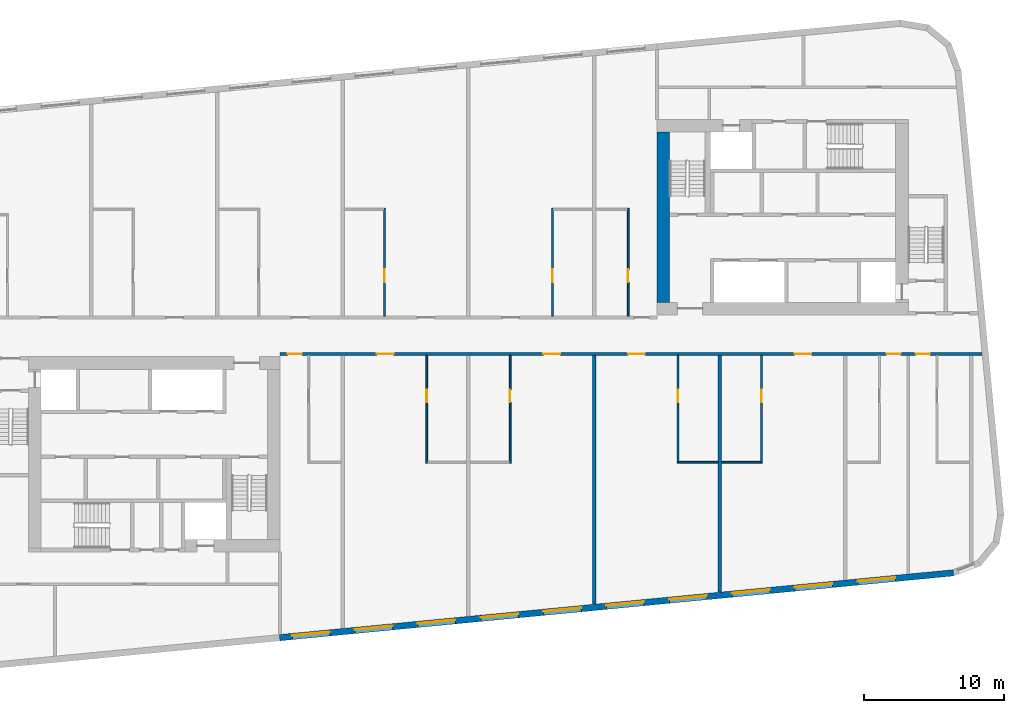
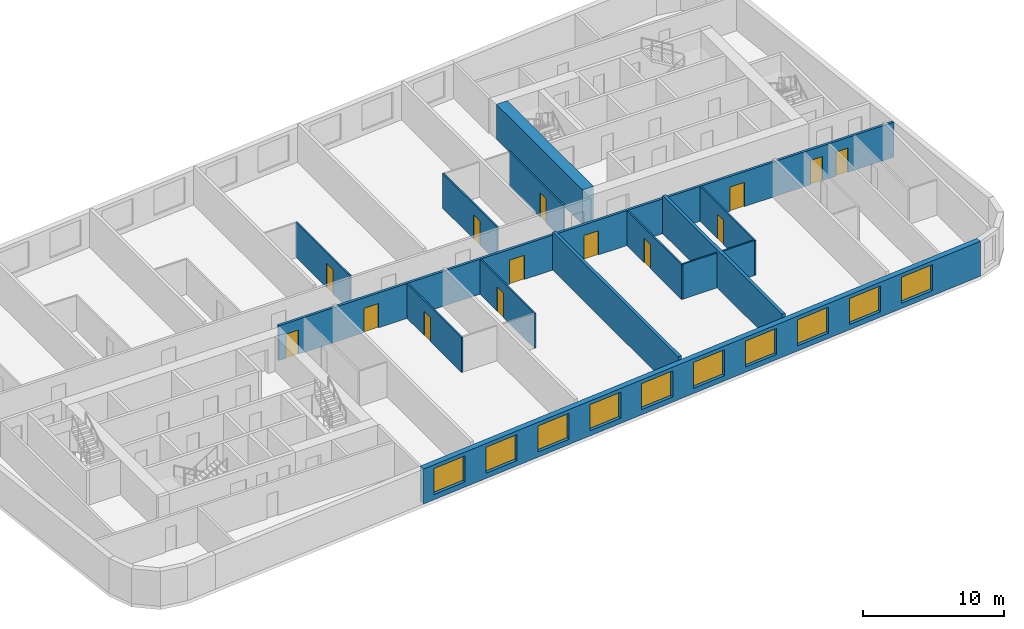
# One storey, part 4 of 11: 14 doors, 14 walls, 10 windows, 24 openings.
"""IFC4 building model written with IfcOpenShell, lengths in metres."""

import ifcopenshell
import ifcopenshell.guid

model = None  # the IFC model being written
_history = None  # IfcOwnerHistory: only IFC2X3 demands one
_inside = {}  # id of a spatial element -> (the spatial element, [elements in it])
_under = {}  # id of a project, library or spatial element -> (it, [spatial elements below it])
_declared = {}  # id of a project -> (the project, [libraries it declares])
_typed = {}  # id of a type object -> (the type object, [elements of that type])
_made_of = {}  # id of a material, layer set ... -> (it, [elements and type objects made of it])


def new_model(schema):
    """Start an empty IFC model of exactly this schema.

    Asked for "IFC4X3", IfcOpenShell would pick the latest addendum, in which some entities
    have other attributes; the version numbers below select the first issue.
    IFC2X3 requires an IfcOwnerHistory on every rooted entity: one is made here for all.
    """
    global model, _history
    if schema == "IFC4X3":
        model = ifcopenshell.file(schema_version=(4, 3, 0, 0))
    else:
        model = ifcopenshell.file(schema=schema)
    _inside.clear()
    _under.clear()
    _declared.clear()
    _typed.clear()
    _made_of.clear()
    _history = None
    if model.schema == "IFC2X3":
        org = make("IfcOrganization", Name="unknown")
        user = make(
            "IfcPersonAndOrganization",
            ThePerson=make("IfcPerson", FamilyName="unknown"),
            TheOrganization=org,
        )
        app = make(
            "IfcApplication",
            ApplicationDeveloper=org,
            Version="unknown",
            ApplicationFullName="unknown",
            ApplicationIdentifier="unknown",
        )
        _history = make(
            "IfcOwnerHistory",
            OwningUser=user,
            OwningApplication=app,
            ChangeAction="ADDED",
            CreationDate=0,
        )
    return model


def make(cls, **values):
    """One entity of the class cls with the attributes given. An attribute that is None is left unset."""
    return model.create_entity(
        cls, **{name: value for name, value in values.items() if value is not None}
    )


def rooted(cls, **values):
    """An entity with a GlobalId (a new one), such as an element, a storey or a relation."""
    return make(cls, GlobalId=ifcopenshell.guid.new(), OwnerHistory=_history, **values)


def si_unit(unit_type, name, prefix=None):
    """IfcSIUnit, for example si_unit("LENGTHUNIT", "METRE", prefix="MILLI")."""
    return make("IfcSIUnit", UnitType=unit_type, Prefix=prefix, Name=name)


def assignment(units):
    """IfcUnitAssignment: the units of a project."""
    return None if units is None else make("IfcUnitAssignment", Units=units)


def point(xyz):
    """IfcCartesianPoint."""
    return None if xyz is None else make("IfcCartesianPoint", Coordinates=xyz)


def direction(xyz):
    """IfcDirection."""
    return None if xyz is None else make("IfcDirection", DirectionRatios=xyz)


def frame(location, z_axis=None, x_axis=None):
    """IfcAxis2Placement3D, a coordinate frame: its origin and axes. An axis left out is left unset."""
    return make(
        "IfcAxis2Placement3D",
        Location=point(location),
        Axis=direction(z_axis),
        RefDirection=direction(x_axis),
    )


def frame_2d(location, x_axis=None):
    """IfcAxis2Placement2D, a coordinate frame in the plane: its origin and x axis."""
    return make(
        "IfcAxis2Placement2D", Location=point(location), RefDirection=direction(x_axis)
    )


def origin():
    """The frame at (0, 0, 0) with its axes left unset."""
    return frame((0.0, 0.0, 0.0))


def place(relative_to, where):
    """IfcLocalPlacement: puts the frame where relative to a parent placement (None: the world)."""
    return make(
        "IfcLocalPlacement", PlacementRelTo=relative_to, RelativePlacement=where
    )


def context(
    kind, dimensions, precision=None, world=None, true_north=None, identifier=None
):
    """IfcGeometricRepresentationContext, for example the 3D "Model" context."""
    return make(
        "IfcGeometricRepresentationContext",
        ContextIdentifier=identifier,
        ContextType=kind,
        CoordinateSpaceDimension=dimensions,
        Precision=precision,
        WorldCoordinateSystem=world,
        TrueNorth=true_north,
    )


def subcontext(parent, identifier, kind, view, scale=None):
    """IfcGeometricRepresentationSubContext, for example "Body" below "Model"."""
    return make(
        "IfcGeometricRepresentationSubContext",
        ContextIdentifier=identifier,
        ContextType=kind,
        ParentContext=parent,
        TargetScale=scale,
        TargetView=view,
    )


def project(units=None, contexts=None):
    """IfcProject with its units and contexts."""
    return rooted(
        "IfcProject",
        Name="project",
        RepresentationContexts=contexts,
        UnitsInContext=assignment(units),
    )


def spatial(cls, under=None, at=None, **own):
    """A site, building, storey or space (cls), placed at a placement, below another one or the project."""
    s = rooted(cls, ObjectPlacement=at, **own)
    if under is not None:
        _under.setdefault(under.id(), (under, []))[1].append(s)
    return s


def profile(cls, at=None, kind="AREA", **sizes):
    """A parametric profile (cls). Its sizes go by their IFC names, for example OverallWidth=200.0."""
    return make(cls, ProfileType=kind, Position=at, **sizes)


def rectangle(**sizes):
    """IfcRectangleProfileDef."""
    return profile("IfcRectangleProfileDef", **sizes)


def extrude(swept, where, along, depth):
    """IfcExtrudedAreaSolid: the profile swept, set in the frame where, extruded along a direction by depth."""
    return make(
        "IfcExtrudedAreaSolid",
        SweptArea=swept,
        Position=where,
        ExtrudedDirection=direction(along),
        Depth=depth,
    )


def shape(context_of_items, identifier, shape_type, items):
    """IfcShapeRepresentation: the items that make up one representation, for example the "Body"."""
    return make(
        "IfcShapeRepresentation",
        ContextOfItems=context_of_items,
        RepresentationIdentifier=identifier,
        RepresentationType=shape_type,
        Items=items,
    )


def material(Name=None, Category=None):
    """IfcMaterial."""
    return make("IfcMaterial", Name=Name, Category=Category)


def layer(
    of_material, thickness, ventilated=None, Name=None, Category=None, Priority=None
):
    """IfcMaterialLayer: one layer of a wall or slab, of a material (None: an air gap)."""
    return make(
        "IfcMaterialLayer",
        Material=of_material,
        LayerThickness=thickness,
        IsVentilated=ventilated,
        Name=Name,
        Category=Category,
        Priority=Priority,
    )


def layer_set(layers, Name=None):
    """IfcMaterialLayerSet."""
    return make("IfcMaterialLayerSet", MaterialLayers=layers, LayerSetName=Name)


def made_of(thing, what):
    """Note that an element or type object is made of a material, layer set ...; save() writes the relation."""
    if what is not None:
        _made_of.setdefault(what.id(), (what, []))[1].append(thing)
    return thing


def type_object(cls, material=None, **own):
    """A type object (cls), such as IfcWallType, which elements share."""
    return made_of(rooted(cls, **own), material)


def element(
    cls,
    number,
    at=None,
    inside=None,
    cuts=None,
    type_object=None,
    material=None,
    context=None,
    identifier="Body",
    shape_type=None,
    held_by="IfcProductDefinitionShape",
    body=None,
    shapes=None,
    **own,
):
    """One element of the class cls, such as IfcWall. Its Tag is "e" and its number.

    at: its placement. inside: the storey or other place that contains it. cuts: it is an
    opening in that element (IfcRelVoidsElement). A single representation is given by context,
    identifier, shape_type and body (its items); several are given by shapes. held_by: the class
    of the entity that holds the representations. save() writes the other relations.
    """
    e = rooted(cls, Tag="e%d" % number, ObjectPlacement=at, **own)
    if body is not None:
        shapes = [shape(context, identifier, shape_type, body)]
    if shapes is not None:
        e.Representation = make(held_by, Representations=shapes)
    if inside is not None:
        _inside.setdefault(inside.id(), (inside, []))[1].append(e)
    if cuts is not None:
        rooted(
            "IfcRelVoidsElement", RelatingBuildingElement=cuts, RelatedOpeningElement=e
        )
    if type_object is not None:
        _typed.setdefault(type_object.id(), (type_object, []))[1].append(e)
    return made_of(e, material)


def fill(opening, filler):
    """IfcRelFillsElement: the door or window that sits in an opening."""
    return rooted(
        "IfcRelFillsElement",
        RelatingOpeningElement=opening,
        RelatedBuildingElement=filler,
    )


def aggregate(whole, parts):
    """IfcRelAggregates: a whole, such as a stair, and the parts it consists of."""
    return rooted("IfcRelAggregates", RelatingObject=whole, RelatedObjects=parts)


def save(model, path):
    """Write the relations noted so far, then the file.

    IfcRelAggregates (storeys below a building ...), IfcRelContainedInSpatialStructure (elements
    in a storey), IfcRelDefinesByType, IfcRelAssociatesMaterial and IfcRelDeclares: one each for
    every whole, place, type object, material and project.
    """
    for whole, parts in _under.values():
        aggregate(whole, parts)
    for where, things in _inside.values():
        rooted(
            "IfcRelContainedInSpatialStructure",
            RelatedElements=things,
            RelatingStructure=where,
        )
    for kind, things in _typed.values():
        rooted("IfcRelDefinesByType", RelatedObjects=things, RelatingType=kind)
    for what, things in _made_of.values():
        rooted("IfcRelAssociatesMaterial", RelatedObjects=things, RelatingMaterial=what)
    for by, libraries in _declared.values():
        rooted("IfcRelDeclares", RelatingContext=by, RelatedDefinitions=libraries)
    model.write(path)


model = new_model("IFC4")

# Units and contexts
model_context = context("Model", 3, precision=1e-05, world=origin(), true_north=direction((0.0, 1.0)))
body_context = subcontext(model_context, "Body", "Model", "MODEL_VIEW")
ifc_project = project(units=[si_unit("LENGTHUNIT", "METRE"), si_unit("AREAUNIT", "SQUARE_METRE"), si_unit("VOLUMEUNIT", "CUBIC_METRE"), si_unit("PLANEANGLEUNIT", "RADIAN"), si_unit("MASSUNIT", "GRAM", prefix="KILO")], contexts=[model_context])

# Site, building, storey
site_placement = place(None, origin())
site = spatial("IfcSite", under=ifc_project, at=site_placement, CompositionType="ELEMENT")
building_placement = place(site_placement, origin())
building = spatial("IfcBuilding", under=site, at=building_placement, Name="Kajstack Hotel Tower", CompositionType="ELEMENT")
storey_placement = place(building_placement, frame((0.0, 0.0, 275.10009765625)))
storey = spatial("IfcBuildingStorey", under=building, at=storey_placement, Name="L68", CompositionType="ELEMENT", Elevation=275.10009765625)

# Wall
ifc_material_1 = material(Name="Concrete C60/75", Category="concrete")
ifc_layer_1 = layer(ifc_material_1, 0.89990234375)
ifc_layer_set_1 = layer_set([ifc_layer_1], Name="Core wall 900")
wall_type_1 = type_object("IfcWallType", Name="Core wall 900", PredefinedType="SHEAR", material=ifc_layer_set_1)
wall_1_placement = place(storey_placement, frame((13.949951171875, 2.39990234375, 0.0), z_axis=(0.0, 0.0, 1.0), x_axis=(0.0, 1.0, 0.0)))
element("IfcWall", 1, at=wall_1_placement, inside=storey, type_object=wall_type_1, Name="Core wall E RE", PredefinedType="SHEAR", context=body_context, shape_type="SweptSolid", body=[
    extrude(rectangle(XDim=12.2001953125, YDim=0.89990234375, at=frame_2d((6.10009765625, 0.0))), origin(), (0.0, 0.0, 1.0), 3.02001953125),
])

# Wall, openings, doors
ifc_material_2 = material(Name="Gypsum board on steel studs, mineral wool", Category="steel")
ifc_layer_2 = layer(ifc_material_2, 0.199951171875)
ifc_layer_set_2 = layer_set([ifc_layer_2], Name="Corridor wall 200")
wall_type_2 = type_object("IfcWallType", Name="Corridor wall 200", PredefinedType="PARTITIONING", material=ifc_layer_set_2)
wall_2_placement = place(storey_placement, frame((-13.5, -1.300048828125, 0.0), z_axis=(0.0, 0.0, 1.0), x_axis=(1.0, 0.0, 0.0)))
wall_2 = element("IfcWall", 2, at=wall_2_placement, inside=storey, type_object=wall_type_2, Name="G-wall-L68-018", PredefinedType="PARTITIONING", context=body_context, shape_type="SweptSolid", body=[
    extrude(rectangle(XDim=50.29296875, YDim=0.199951171875, at=frame_2d((25.146484375, 0.0))), origin(), (0.0, 0.0, 1.0), 3.02001953125),
])
opening_1_placement = place(wall_2_placement, frame((0.574951171875, 0.0, 0.0)))
opening_1 = element("IfcOpeningElement", 3, at=opening_1_placement, cuts=wall_2, Name="Opening 68015", PredefinedType="OPENING", context=body_context, shape_type="SweptSolid", body=[
    extrude(rectangle(XDim=1.0, YDim=2.10009765625, at=frame_2d((0.5, 1.050048828125))), frame((0.0, 0.10986328125, 0.0), z_axis=(0.0, -1.0, 0.0), x_axis=(1.0, 0.0, 0.0)), (0.0, 0.0, 1.0), 0.219970703125),
])
opening_2_placement = place(wall_2_placement, frame((6.93798828125, 0.0, 0.0)))
opening_2 = element("IfcOpeningElement", 4, at=opening_2_placement, cuts=wall_2, Name="Opening 68017", PredefinedType="OPENING", context=body_context, shape_type="SweptSolid", body=[
    extrude(rectangle(XDim=1.199951171875, YDim=2.10009765625, at=frame_2d((0.60009765625, 1.050048828125))), frame((0.0, 0.10986328125, 0.0), z_axis=(0.0, -1.0, 0.0), x_axis=(1.0, 0.0, 0.0)), (0.0, 0.0, 1.0), 0.219970703125),
])
opening_3_placement = place(wall_2_placement, frame((18.862060546875, 0.0, 0.0)))
opening_3 = element("IfcOpeningElement", 5, at=opening_3_placement, cuts=wall_2, Name="Opening 68019", PredefinedType="OPENING", context=body_context, shape_type="SweptSolid", body=[
    extrude(rectangle(XDim=1.199951171875, YDim=2.10009765625, at=frame_2d((0.60009765625, 1.050048828125))), frame((0.0, 0.10986328125, 0.0), z_axis=(0.0, -1.0, 0.0), x_axis=(1.0, 0.0, 0.0)), (0.0, 0.0, 1.0), 0.219970703125),
])
opening_4_placement = place(wall_2_placement, frame((24.93798828125, 0.0, 0.0)))
opening_4 = element("IfcOpeningElement", 6, at=opening_4_placement, cuts=wall_2, Name="Opening 68021", PredefinedType="OPENING", context=body_context, shape_type="SweptSolid", body=[
    extrude(rectangle(XDim=1.199951171875, YDim=2.10009765625, at=frame_2d((0.60009765625, 1.050048828125))), frame((0.0, 0.10986328125, 0.0), z_axis=(0.0, -1.0, 0.0), x_axis=(1.0, 0.0, 0.0)), (0.0, 0.0, 1.0), 0.219970703125),
])
opening_5_placement = place(wall_2_placement, frame((36.862060546875, 0.0, 0.0)))
opening_5 = element("IfcOpeningElement", 7, at=opening_5_placement, cuts=wall_2, Name="Opening 68023", PredefinedType="OPENING", context=body_context, shape_type="SweptSolid", body=[
    extrude(rectangle(XDim=1.199951171875, YDim=2.10009765625, at=frame_2d((0.60009765625, 1.050048828125))), frame((0.0, 0.10986328125, 0.0), z_axis=(0.0, -1.0, 0.0), x_axis=(1.0, 0.0, 0.0)), (0.0, 0.0, 1.0), 0.219970703125),
])
opening_6_placement = place(wall_2_placement, frame((43.449951171875, 0.0, 0.0)))
opening_6 = element("IfcOpeningElement", 8, at=opening_6_placement, cuts=wall_2, Name="Opening 68025", PredefinedType="OPENING", context=body_context, shape_type="SweptSolid", body=[
    extrude(rectangle(XDim=1.0, YDim=2.10009765625, at=frame_2d((0.5, 1.050048828125))), frame((0.0, 0.10986328125, 0.0), z_axis=(0.0, -1.0, 0.0), x_axis=(1.0, 0.0, 0.0)), (0.0, 0.0, 1.0), 0.219970703125),
])
opening_7_placement = place(wall_2_placement, frame((45.550048828125, 0.0, 0.0)))
opening_7 = element("IfcOpeningElement", 9, at=opening_7_placement, cuts=wall_2, Name="Opening 68027", PredefinedType="OPENING", context=body_context, shape_type="SweptSolid", body=[
    extrude(rectangle(XDim=1.0, YDim=2.10009765625, at=frame_2d((0.5, 1.050048828125))), frame((0.0, 0.10986328125, 0.0), z_axis=(0.0, -1.0, 0.0), x_axis=(1.0, 0.0, 0.0)), (0.0, 0.0, 1.0), 0.219970703125),
])
ifc_material_3 = material(Name="Oak veneer on timber core, fire-rated leaf", Category="wood")
door_type_1 = type_object("IfcDoorType", Name="Flat entrance door 1000", OperationType="SINGLE_SWING_LEFT", PredefinedType="DOOR", material=ifc_material_3)
door_1_placement = place(opening_1_placement, origin())
door_1 = element("IfcDoor", 10, at=door_1_placement, inside=storey, type_object=door_type_1, Name="G-door-L68-15", OperationType="SINGLE_SWING_LEFT", OverallHeight=2.10009765625, OverallWidth=1.0, PredefinedType="DOOR", context=body_context, shape_type="SweptSolid", body=[
    extrude(rectangle(XDim=1.0, YDim=2.10009765625, at=frame_2d((0.5, 1.050048828125))), frame((0.0, 0.02490234375, 0.0), z_axis=(0.0, -1.0, 0.0), x_axis=(1.0, 0.0, 0.0)), (0.0, 0.0, 1.0), 0.050048828125),
])
fill(opening_1, door_1)
door_2_placement = place(opening_6_placement, origin())
door_2 = element("IfcDoor", 11, at=door_2_placement, inside=storey, type_object=door_type_1, Name="G-door-L68-25", OperationType="SINGLE_SWING_RIGHT", OverallHeight=2.10009765625, OverallWidth=1.0, PredefinedType="DOOR", context=body_context, shape_type="SweptSolid", body=[
    extrude(rectangle(XDim=1.0, YDim=2.10009765625, at=frame_2d((0.5, 1.050048828125))), frame((0.0, 0.02490234375, 0.0), z_axis=(0.0, -1.0, 0.0), x_axis=(1.0, 0.0, 0.0)), (0.0, 0.0, 1.0), 0.050048828125),
])
fill(opening_6, door_2)
door_3_placement = place(opening_7_placement, origin())
door_3 = element("IfcDoor", 12, at=door_3_placement, inside=storey, type_object=door_type_1, Name="G-door-L68-27", OperationType="SINGLE_SWING_LEFT", OverallHeight=2.10009765625, OverallWidth=1.0, PredefinedType="DOOR", context=body_context, shape_type="SweptSolid", body=[
    extrude(rectangle(XDim=1.0, YDim=2.10009765625, at=frame_2d((0.5, 1.050048828125))), frame((0.0, 0.02490234375, 0.0), z_axis=(0.0, -1.0, 0.0), x_axis=(1.0, 0.0, 0.0)), (0.0, 0.0, 1.0), 0.050048828125),
])
fill(opening_7, door_3)
door_type_2 = type_object("IfcDoorType", Name="Flat entrance door 1200", OperationType="SINGLE_SWING_LEFT", PredefinedType="DOOR", material=ifc_material_3)
door_4_placement = place(opening_2_placement, origin())
door_4 = element("IfcDoor", 13, at=door_4_placement, inside=storey, type_object=door_type_2, Name="G-door-L68-17", OperationType="SINGLE_SWING_LEFT", OverallHeight=2.10009765625, OverallWidth=1.199951171875, PredefinedType="DOOR", context=body_context, shape_type="SweptSolid", body=[
    extrude(rectangle(XDim=1.199951171875, YDim=2.10009765625, at=frame_2d((0.60009765625, 1.050048828125))), frame((0.0, 0.02490234375, 0.0), z_axis=(0.0, -1.0, 0.0), x_axis=(1.0, 0.0, 0.0)), (0.0, 0.0, 1.0), 0.050048828125),
])
fill(opening_2, door_4)
door_5_placement = place(opening_3_placement, origin())
door_5 = element("IfcDoor", 14, at=door_5_placement, inside=storey, type_object=door_type_2, Name="G-door-L68-19", OperationType="SINGLE_SWING_RIGHT", OverallHeight=2.10009765625, OverallWidth=1.199951171875, PredefinedType="DOOR", context=body_context, shape_type="SweptSolid", body=[
    extrude(rectangle(XDim=1.199951171875, YDim=2.10009765625, at=frame_2d((0.60009765625, 1.050048828125))), frame((0.0, 0.02490234375, 0.0), z_axis=(0.0, -1.0, 0.0), x_axis=(1.0, 0.0, 0.0)), (0.0, 0.0, 1.0), 0.050048828125),
])
fill(opening_3, door_5)
door_6_placement = place(opening_4_placement, origin())
door_6 = element("IfcDoor", 15, at=door_6_placement, inside=storey, type_object=door_type_2, Name="G-door-L68-21", OperationType="SINGLE_SWING_RIGHT", OverallHeight=2.10009765625, OverallWidth=1.199951171875, PredefinedType="DOOR", context=body_context, shape_type="SweptSolid", body=[
    extrude(rectangle(XDim=1.199951171875, YDim=2.10009765625, at=frame_2d((0.60009765625, 1.050048828125))), frame((0.0, 0.02490234375, 0.0), z_axis=(0.0, -1.0, 0.0), x_axis=(1.0, 0.0, 0.0)), (0.0, 0.0, 1.0), 0.050048828125),
])
fill(opening_4, door_6)
door_7_placement = place(opening_5_placement, origin())
door_7 = element("IfcDoor", 16, at=door_7_placement, inside=storey, type_object=door_type_2, Name="G-door-L68-23", OperationType="SINGLE_SWING_RIGHT", OverallHeight=2.10009765625, OverallWidth=1.199951171875, PredefinedType="DOOR", context=body_context, shape_type="SweptSolid", body=[
    extrude(rectangle(XDim=1.199951171875, YDim=2.10009765625, at=frame_2d((0.60009765625, 1.050048828125))), frame((0.0, 0.02490234375, 0.0), z_axis=(0.0, -1.0, 0.0), x_axis=(1.0, 0.0, 0.0)), (0.0, 0.0, 1.0), 0.050048828125),
])
fill(opening_5, door_7)

# Wall, openings, windows
ifc_material_4 = material(Name="Terracotta-faced brick masonry", Category="masonry")
ifc_layer_3 = layer(ifc_material_4, 0.449951171875)
ifc_layer_set_3 = layer_set([ifc_layer_3], Name="EW-TERRA")
wall_type_3 = type_object("IfcWallType", Name="EW-TERRA", PredefinedType="SOLIDWALL", material=ifc_layer_set_3)
wall_3_placement = place(storey_placement, frame((-13.521484375, -21.6240234375, 0.0), z_axis=(0.0, 0.0, 1.0), x_axis=(0.995396186218, 0.095845878695, 0.0)))
wall_3 = element("IfcWall", 17, at=wall_3_placement, inside=storey, type_object=wall_type_3, Name="E-wall-L68-04-02", PredefinedType="SOLIDWALL", context=body_context, shape_type="SweptSolid", body=[
    extrude(rectangle(XDim=48.481201171875, YDim=0.449951171875, at=frame_2d((24.24072265625, 0.0))), origin(), (0.0, 0.0, 1.0), 3.02001953125),
])
opening_8_placement = place(wall_3_placement, frame((0.910400390625, 0.0, 0.449951171875)))
opening_8 = element("IfcOpeningElement", 18, at=opening_8_placement, cuts=wall_3, Name="Opening W1", PredefinedType="OPENING", context=body_context, shape_type="SweptSolid", body=[
    extrude(rectangle(XDim=2.699951171875, YDim=2.25, at=frame_2d((1.35009765625, 1.125))), frame((0.0, 0.23486328125, 0.0), z_axis=(0.0, -1.0, 0.0), x_axis=(1.0, 0.0, 0.0)), (0.0, 0.0, 1.0), 0.469970703125),
])
opening_9_placement = place(wall_3_placement, frame((5.43115234375, 0.0, 0.449951171875)))
opening_9 = element("IfcOpeningElement", 19, at=opening_9_placement, cuts=wall_3, Name="Opening W1", PredefinedType="OPENING", context=body_context, shape_type="SweptSolid", body=[
    extrude(rectangle(XDim=2.699951171875, YDim=2.25, at=frame_2d((1.35009765625, 1.125))), frame((0.0, 0.23486328125, 0.0), z_axis=(0.0, -1.0, 0.0), x_axis=(1.0, 0.0, 0.0)), (0.0, 0.0, 1.0), 0.469970703125),
])
opening_10_placement = place(wall_3_placement, frame((9.951904296875, 0.0, 0.449951171875)))
opening_10 = element("IfcOpeningElement", 20, at=opening_10_placement, cuts=wall_3, Name="Opening W1", PredefinedType="OPENING", context=body_context, shape_type="SweptSolid", body=[
    extrude(rectangle(XDim=2.699951171875, YDim=2.25, at=frame_2d((1.35009765625, 1.125))), frame((0.0, 0.23486328125, 0.0), z_axis=(0.0, -1.0, 0.0), x_axis=(1.0, 0.0, 0.0)), (0.0, 0.0, 1.0), 0.469970703125),
])
opening_11_placement = place(wall_3_placement, frame((14.472900390625, 0.0, 0.449951171875)))
opening_11 = element("IfcOpeningElement", 21, at=opening_11_placement, cuts=wall_3, Name="Opening W1", PredefinedType="OPENING", context=body_context, shape_type="SweptSolid", body=[
    extrude(rectangle(XDim=2.699951171875, YDim=2.25, at=frame_2d((1.35009765625, 1.125))), frame((0.0, 0.23486328125, 0.0), z_axis=(0.0, -1.0, 0.0), x_axis=(1.0, 0.0, 0.0)), (0.0, 0.0, 1.0), 0.469970703125),
])
opening_12_placement = place(wall_3_placement, frame((18.99365234375, 0.0, 0.449951171875)))
opening_12 = element("IfcOpeningElement", 22, at=opening_12_placement, cuts=wall_3, Name="Opening W1", PredefinedType="OPENING", context=body_context, shape_type="SweptSolid", body=[
    extrude(rectangle(XDim=2.699951171875, YDim=2.25, at=frame_2d((1.35009765625, 1.125))), frame((0.0, 0.23486328125, 0.0), z_axis=(0.0, -1.0, 0.0), x_axis=(1.0, 0.0, 0.0)), (0.0, 0.0, 1.0), 0.469970703125),
])
opening_13_placement = place(wall_3_placement, frame((23.514404296875, 0.0, 0.449951171875)))
opening_13 = element("IfcOpeningElement", 23, at=opening_13_placement, cuts=wall_3, Name="Opening W1", PredefinedType="OPENING", context=body_context, shape_type="SweptSolid", body=[
    extrude(rectangle(XDim=2.699951171875, YDim=2.25, at=frame_2d((1.35009765625, 1.125))), frame((0.0, 0.23486328125, 0.0), z_axis=(0.0, -1.0, 0.0), x_axis=(1.0, 0.0, 0.0)), (0.0, 0.0, 1.0), 0.469970703125),
])
opening_14_placement = place(wall_3_placement, frame((28.03515625, 0.0, 0.449951171875)))
opening_14 = element("IfcOpeningElement", 24, at=opening_14_placement, cuts=wall_3, Name="Opening W1", PredefinedType="OPENING", context=body_context, shape_type="SweptSolid", body=[
    extrude(rectangle(XDim=2.699951171875, YDim=2.25, at=frame_2d((1.35009765625, 1.125))), frame((0.0, 0.23486328125, 0.0), z_axis=(0.0, -1.0, 0.0), x_axis=(1.0, 0.0, 0.0)), (0.0, 0.0, 1.0), 0.469970703125),
])
opening_15_placement = place(wall_3_placement, frame((32.55615234375, 0.0, 0.449951171875)))
opening_15 = element("IfcOpeningElement", 25, at=opening_15_placement, cuts=wall_3, Name="Opening W1", PredefinedType="OPENING", context=body_context, shape_type="SweptSolid", body=[
    extrude(rectangle(XDim=2.699951171875, YDim=2.25, at=frame_2d((1.35009765625, 1.125))), frame((0.0, 0.23486328125, 0.0), z_axis=(0.0, -1.0, 0.0), x_axis=(1.0, 0.0, 0.0)), (0.0, 0.0, 1.0), 0.469970703125),
])
opening_16_placement = place(wall_3_placement, frame((37.076904296875, 0.0, 0.449951171875)))
opening_16 = element("IfcOpeningElement", 26, at=opening_16_placement, cuts=wall_3, Name="Opening W1", PredefinedType="OPENING", context=body_context, shape_type="SweptSolid", body=[
    extrude(rectangle(XDim=2.699951171875, YDim=2.25, at=frame_2d((1.35009765625, 1.125))), frame((0.0, 0.23486328125, 0.0), z_axis=(0.0, -1.0, 0.0), x_axis=(1.0, 0.0, 0.0)), (0.0, 0.0, 1.0), 0.469970703125),
])
opening_17_placement = place(wall_3_placement, frame((41.59765625, 0.0, 0.449951171875)))
opening_17 = element("IfcOpeningElement", 27, at=opening_17_placement, cuts=wall_3, Name="Opening W1", PredefinedType="OPENING", context=body_context, shape_type="SweptSolid", body=[
    extrude(rectangle(XDim=2.699951171875, YDim=2.25, at=frame_2d((1.35009765625, 1.125))), frame((0.0, 0.23486328125, 0.0), z_axis=(0.0, -1.0, 0.0), x_axis=(1.0, 0.0, 0.0)), (0.0, 0.0, 1.0), 0.469970703125),
])
ifc_material_5 = material(Name="Timber-aluminium window, triple glazed", Category="wood")
window_type = type_object("IfcWindowType", Name="WG1", PartitioningType="SINGLE_PANEL", PredefinedType="WINDOW", material=ifc_material_5)
window_1_placement = place(opening_8_placement, origin())
window_1 = element("IfcWindow", 28, at=window_1_placement, inside=storey, type_object=window_type, Name="Window W1 L68-04", OverallHeight=2.25, OverallWidth=2.699951171875, PartitioningType="SINGLE_PANEL", PredefinedType="WINDOW", context=body_context, shape_type="SweptSolid", body=[
    extrude(rectangle(XDim=2.699951171875, YDim=2.25, at=frame_2d((1.35009765625, 1.125))), frame((0.0, 0.090087890625, 0.0), z_axis=(0.0, -1.0, 0.0), x_axis=(1.0, 0.0, 0.0)), (0.0, 0.0, 1.0), 0.06005859375),
])
fill(opening_8, window_1)
window_2_placement = place(opening_9_placement, origin())
window_2 = element("IfcWindow", 29, at=window_2_placement, inside=storey, type_object=window_type, Name="Window W1 L68-04", OverallHeight=2.25, OverallWidth=2.699951171875, PartitioningType="SINGLE_PANEL", PredefinedType="WINDOW", context=body_context, shape_type="SweptSolid", body=[
    extrude(rectangle(XDim=2.699951171875, YDim=2.25, at=frame_2d((1.35009765625, 1.125))), frame((0.0, 0.090087890625, 0.0), z_axis=(0.0, -1.0, 0.0), x_axis=(1.0, 0.0, 0.0)), (0.0, 0.0, 1.0), 0.06005859375),
])
fill(opening_9, window_2)
window_3_placement = place(opening_10_placement, origin())
window_3 = element("IfcWindow", 30, at=window_3_placement, inside=storey, type_object=window_type, Name="Window W1 L68-04", OverallHeight=2.25, OverallWidth=2.699951171875, PartitioningType="SINGLE_PANEL", PredefinedType="WINDOW", context=body_context, shape_type="SweptSolid", body=[
    extrude(rectangle(XDim=2.699951171875, YDim=2.25, at=frame_2d((1.35009765625, 1.125))), frame((0.0, 0.090087890625, 0.0), z_axis=(0.0, -1.0, 0.0), x_axis=(1.0, 0.0, 0.0)), (0.0, 0.0, 1.0), 0.06005859375),
])
fill(opening_10, window_3)
window_4_placement = place(opening_11_placement, origin())
window_4 = element("IfcWindow", 31, at=window_4_placement, inside=storey, type_object=window_type, Name="Window W1 L68-04", OverallHeight=2.25, OverallWidth=2.699951171875, PartitioningType="SINGLE_PANEL", PredefinedType="WINDOW", context=body_context, shape_type="SweptSolid", body=[
    extrude(rectangle(XDim=2.699951171875, YDim=2.25, at=frame_2d((1.35009765625, 1.125))), frame((0.0, 0.090087890625, 0.0), z_axis=(0.0, -1.0, 0.0), x_axis=(1.0, 0.0, 0.0)), (0.0, 0.0, 1.0), 0.06005859375),
])
fill(opening_11, window_4)
window_5_placement = place(opening_12_placement, origin())
window_5 = element("IfcWindow", 32, at=window_5_placement, inside=storey, type_object=window_type, Name="Window W1 L68-04", OverallHeight=2.25, OverallWidth=2.699951171875, PartitioningType="SINGLE_PANEL", PredefinedType="WINDOW", context=body_context, shape_type="SweptSolid", body=[
    extrude(rectangle(XDim=2.699951171875, YDim=2.25, at=frame_2d((1.35009765625, 1.125))), frame((0.0, 0.090087890625, 0.0), z_axis=(0.0, -1.0, 0.0), x_axis=(1.0, 0.0, 0.0)), (0.0, 0.0, 1.0), 0.06005859375),
])
fill(opening_12, window_5)
window_6_placement = place(opening_13_placement, origin())
window_6 = element("IfcWindow", 33, at=window_6_placement, inside=storey, type_object=window_type, Name="Window W1 L68-04", OverallHeight=2.25, OverallWidth=2.699951171875, PartitioningType="SINGLE_PANEL", PredefinedType="WINDOW", context=body_context, shape_type="SweptSolid", body=[
    extrude(rectangle(XDim=2.699951171875, YDim=2.25, at=frame_2d((1.35009765625, 1.125))), frame((0.0, 0.090087890625, 0.0), z_axis=(0.0, -1.0, 0.0), x_axis=(1.0, 0.0, 0.0)), (0.0, 0.0, 1.0), 0.06005859375),
])
fill(opening_13, window_6)
window_7_placement = place(opening_14_placement, origin())
window_7 = element("IfcWindow", 34, at=window_7_placement, inside=storey, type_object=window_type, Name="Window W1 L68-04", OverallHeight=2.25, OverallWidth=2.699951171875, PartitioningType="SINGLE_PANEL", PredefinedType="WINDOW", context=body_context, shape_type="SweptSolid", body=[
    extrude(rectangle(XDim=2.699951171875, YDim=2.25, at=frame_2d((1.35009765625, 1.125))), frame((0.0, 0.090087890625, 0.0), z_axis=(0.0, -1.0, 0.0), x_axis=(1.0, 0.0, 0.0)), (0.0, 0.0, 1.0), 0.06005859375),
])
fill(opening_14, window_7)
window_8_placement = place(opening_15_placement, origin())
window_8 = element("IfcWindow", 35, at=window_8_placement, inside=storey, type_object=window_type, Name="Window W1 L68-04", OverallHeight=2.25, OverallWidth=2.699951171875, PartitioningType="SINGLE_PANEL", PredefinedType="WINDOW", context=body_context, shape_type="SweptSolid", body=[
    extrude(rectangle(XDim=2.699951171875, YDim=2.25, at=frame_2d((1.35009765625, 1.125))), frame((0.0, 0.090087890625, 0.0), z_axis=(0.0, -1.0, 0.0), x_axis=(1.0, 0.0, 0.0)), (0.0, 0.0, 1.0), 0.06005859375),
])
fill(opening_15, window_8)
window_9_placement = place(opening_16_placement, origin())
window_9 = element("IfcWindow", 36, at=window_9_placement, inside=storey, type_object=window_type, Name="Window W1 L68-04", OverallHeight=2.25, OverallWidth=2.699951171875, PartitioningType="SINGLE_PANEL", PredefinedType="WINDOW", context=body_context, shape_type="SweptSolid", body=[
    extrude(rectangle(XDim=2.699951171875, YDim=2.25, at=frame_2d((1.35009765625, 1.125))), frame((0.0, 0.090087890625, 0.0), z_axis=(0.0, -1.0, 0.0), x_axis=(1.0, 0.0, 0.0)), (0.0, 0.0, 1.0), 0.06005859375),
])
fill(opening_16, window_9)
window_10_placement = place(opening_17_placement, origin())
window_10 = element("IfcWindow", 37, at=window_10_placement, inside=storey, type_object=window_type, Name="Window W1 L68-04", OverallHeight=2.25, OverallWidth=2.699951171875, PartitioningType="SINGLE_PANEL", PredefinedType="WINDOW", context=body_context, shape_type="SweptSolid", body=[
    extrude(rectangle(XDim=2.699951171875, YDim=2.25, at=frame_2d((1.35009765625, 1.125))), frame((0.0, 0.090087890625, 0.0), z_axis=(0.0, -1.0, 0.0), x_axis=(1.0, 0.0, 0.0)), (0.0, 0.0, 1.0), 0.06005859375),
])
fill(opening_17, window_10)

# Wall, opening, door
ifc_material_6 = material(Name="Gypsum board and tiled backer on steel studs", Category="steel")
ifc_layer_4 = layer(ifc_material_6, 0.125)
ifc_layer_set_4 = layer_set([ifc_layer_4], Name="En-suite wall 125")
wall_type_4 = type_object("IfcWallType", Name="En-suite wall 125", PredefinedType="PARTITIONING", material=ifc_layer_set_4)
wall_4_placement = place(storey_placement, frame((-6.012939453125, 1.39990234375, 0.0), z_axis=(0.0, 0.0, 1.0), x_axis=(0.0, 1.0, 0.0)))
wall_4 = element("IfcWall", 38, at=wall_4_placement, inside=storey, type_object=wall_type_4, Name="G-wall-L68-012", PredefinedType="PARTITIONING", context=body_context, shape_type="SweptSolid", body=[
    extrude(rectangle(XDim=7.72509765625, YDim=0.125, at=frame_2d((3.862548828125, 0.0))), origin(), (0.0, 0.0, 1.0), 3.02001953125),
])
opening_18_placement = place(wall_4_placement, frame((2.449951171875, 0.0, 0.0)))
opening_18 = element("IfcOpeningElement", 39, at=opening_18_placement, cuts=wall_4, Name="Opening 68010", PredefinedType="OPENING", context=body_context, shape_type="SweptSolid", body=[
    extrude(rectangle(XDim=0.89990234375, YDim=2.10009765625, at=frame_2d((0.449951171875, 1.050048828125))), frame((0.0, 0.072509765625, 0.0), z_axis=(0.0, -1.0, 0.0), x_axis=(1.0, 0.0, 0.0)), (0.0, 0.0, 1.0), 0.14501953125),
])
ifc_material_7 = material(Name="Painted timber door leaf", Category="wood")
door_type_3 = type_object("IfcDoorType", Name="Room door 900", OperationType="SINGLE_SWING_LEFT", PredefinedType="DOOR", material=ifc_material_7)
door_8_placement = place(opening_18_placement, origin())
door_8 = element("IfcDoor", 40, at=door_8_placement, inside=storey, type_object=door_type_3, Name="G-door-L68-10", OperationType="SINGLE_SWING_RIGHT", OverallHeight=2.10009765625, OverallWidth=0.89990234375, PredefinedType="DOOR", context=body_context, shape_type="SweptSolid", body=[
    extrude(rectangle(XDim=0.89990234375, YDim=2.10009765625, at=frame_2d((0.449951171875, 1.050048828125))), frame((0.0, 0.02490234375, 0.0), z_axis=(0.0, -1.0, 0.0), x_axis=(1.0, 0.0, 0.0)), (0.0, 0.0, 1.0), 0.050048828125),
])
fill(opening_18, door_8)

wall_5_placement = place(storey_placement, frame((6.012939453125, 1.39990234375, 0.0), z_axis=(0.0, 0.0, 1.0), x_axis=(0.0, 1.0, 0.0)))
wall_5 = element("IfcWall", 41, at=wall_5_placement, inside=storey, type_object=wall_type_4, Name="G-wall-L68-014", PredefinedType="PARTITIONING", context=body_context, shape_type="SweptSolid", body=[
    extrude(rectangle(XDim=7.72509765625, YDim=0.125, at=frame_2d((3.862548828125, 0.0))), origin(), (0.0, 0.0, 1.0), 3.02001953125),
])
opening_19_placement = place(wall_5_placement, frame((2.449951171875, 0.0, 0.0)))
opening_19 = element("IfcOpeningElement", 42, at=opening_19_placement, cuts=wall_5, Name="Opening 68012", PredefinedType="OPENING", context=body_context, shape_type="SweptSolid", body=[
    extrude(rectangle(XDim=0.89990234375, YDim=2.10009765625, at=frame_2d((0.449951171875, 1.050048828125))), frame((0.0, 0.072509765625, 0.0), z_axis=(0.0, -1.0, 0.0), x_axis=(1.0, 0.0, 0.0)), (0.0, 0.0, 1.0), 0.14501953125),
])
door_9_placement = place(opening_19_placement, origin())
door_9 = element("IfcDoor", 43, at=door_9_placement, inside=storey, type_object=door_type_3, Name="G-door-L68-12", OperationType="SINGLE_SWING_LEFT", OverallHeight=2.10009765625, OverallWidth=0.89990234375, PredefinedType="DOOR", context=body_context, shape_type="SweptSolid", body=[
    extrude(rectangle(XDim=0.89990234375, YDim=2.10009765625, at=frame_2d((0.449951171875, 1.050048828125))), frame((0.0, 0.02490234375, 0.0), z_axis=(0.0, -1.0, 0.0), x_axis=(1.0, 0.0, 0.0)), (0.0, 0.0, 1.0), 0.050048828125),
])
fill(opening_19, door_9)

wall_6_placement = place(storey_placement, frame((11.43798828125, 1.39990234375, 0.0), z_axis=(0.0, 0.0, 1.0), x_axis=(0.0, 1.0, 0.0)))
wall_6 = element("IfcWall", 44, at=wall_6_placement, inside=storey, type_object=wall_type_4, Name="G-wall-L68-016", PredefinedType="PARTITIONING", context=body_context, shape_type="SweptSolid", body=[
    extrude(rectangle(XDim=7.72509765625, YDim=0.125, at=frame_2d((3.862548828125, 0.0))), origin(), (0.0, 0.0, 1.0), 3.02001953125),
])
opening_20_placement = place(wall_6_placement, frame((2.449951171875, 0.0, 0.0)))
opening_20 = element("IfcOpeningElement", 45, at=opening_20_placement, cuts=wall_6, Name="Opening 68014", PredefinedType="OPENING", context=body_context, shape_type="SweptSolid", body=[
    extrude(rectangle(XDim=0.89990234375, YDim=2.10009765625, at=frame_2d((0.449951171875, 1.050048828125))), frame((0.0, 0.072509765625, 0.0), z_axis=(0.0, -1.0, 0.0), x_axis=(1.0, 0.0, 0.0)), (0.0, 0.0, 1.0), 0.14501953125),
])
door_10_placement = place(opening_20_placement, origin())
door_10 = element("IfcDoor", 46, at=door_10_placement, inside=storey, type_object=door_type_3, Name="G-door-L68-14", OperationType="SINGLE_SWING_LEFT", OverallHeight=2.10009765625, OverallWidth=0.89990234375, PredefinedType="DOOR", context=body_context, shape_type="SweptSolid", body=[
    extrude(rectangle(XDim=0.89990234375, YDim=2.10009765625, at=frame_2d((0.449951171875, 1.050048828125))), frame((0.0, 0.02490234375, 0.0), z_axis=(0.0, -1.0, 0.0), x_axis=(1.0, 0.0, 0.0)), (0.0, 0.0, 1.0), 0.050048828125),
])
fill(opening_20, door_10)

wall_7_placement = place(storey_placement, frame((-2.987060546875, -9.125, 0.0), z_axis=(0.0, 0.0, 1.0), x_axis=(0.0, 1.0, 0.0)))
wall_7 = element("IfcWall", 47, at=wall_7_placement, inside=storey, type_object=wall_type_4, Name="G-wall-L68-021", PredefinedType="PARTITIONING", context=body_context, shape_type="SweptSolid", body=[
    extrude(rectangle(XDim=7.72509765625, YDim=0.125, at=frame_2d((3.862548828125, 0.0))), origin(), (0.0, 0.0, 1.0), 3.02001953125),
])
opening_21_placement = place(wall_7_placement, frame((4.375, 0.0, 0.0)))
opening_21 = element("IfcOpeningElement", 48, at=opening_21_placement, cuts=wall_7, Name="Opening 68018", PredefinedType="OPENING", context=body_context, shape_type="SweptSolid", body=[
    extrude(rectangle(XDim=0.89990234375, YDim=2.10009765625, at=frame_2d((0.449951171875, 1.050048828125))), frame((0.0, 0.072509765625, 0.0), z_axis=(0.0, -1.0, 0.0), x_axis=(1.0, 0.0, 0.0)), (0.0, 0.0, 1.0), 0.14501953125),
])
door_11_placement = place(opening_21_placement, origin())
door_11 = element("IfcDoor", 49, at=door_11_placement, inside=storey, type_object=door_type_3, Name="G-door-L68-18", OperationType="SINGLE_SWING_RIGHT", OverallHeight=2.10009765625, OverallWidth=0.89990234375, PredefinedType="DOOR", context=body_context, shape_type="SweptSolid", body=[
    extrude(rectangle(XDim=0.89990234375, YDim=2.10009765625, at=frame_2d((0.449951171875, 1.050048828125))), frame((0.0, 0.02490234375, 0.0), z_axis=(0.0, -1.0, 0.0), x_axis=(1.0, 0.0, 0.0)), (0.0, 0.0, 1.0), 0.050048828125),
])
fill(opening_21, door_11)

wall_8_placement = place(storey_placement, frame((2.987060546875, -9.125, 0.0), z_axis=(0.0, 0.0, 1.0), x_axis=(0.0, 1.0, 0.0)))
wall_8 = element("IfcWall", 50, at=wall_8_placement, inside=storey, type_object=wall_type_4, Name="G-wall-L68-023", PredefinedType="PARTITIONING", context=body_context, shape_type="SweptSolid", body=[
    extrude(rectangle(XDim=7.72509765625, YDim=0.125, at=frame_2d((3.862548828125, 0.0))), origin(), (0.0, 0.0, 1.0), 3.02001953125),
])
opening_22_placement = place(wall_8_placement, frame((4.375, 0.0, 0.0)))
opening_22 = element("IfcOpeningElement", 51, at=opening_22_placement, cuts=wall_8, Name="Opening 68020", PredefinedType="OPENING", context=body_context, shape_type="SweptSolid", body=[
    extrude(rectangle(XDim=0.89990234375, YDim=2.10009765625, at=frame_2d((0.449951171875, 1.050048828125))), frame((0.0, 0.072509765625, 0.0), z_axis=(0.0, -1.0, 0.0), x_axis=(1.0, 0.0, 0.0)), (0.0, 0.0, 1.0), 0.14501953125),
])
door_12_placement = place(opening_22_placement, origin())
door_12 = element("IfcDoor", 52, at=door_12_placement, inside=storey, type_object=door_type_3, Name="G-door-L68-20", OperationType="SINGLE_SWING_RIGHT", OverallHeight=2.10009765625, OverallWidth=0.89990234375, PredefinedType="DOOR", context=body_context, shape_type="SweptSolid", body=[
    extrude(rectangle(XDim=0.89990234375, YDim=2.10009765625, at=frame_2d((0.449951171875, 1.050048828125))), frame((0.0, 0.02490234375, 0.0), z_axis=(0.0, -1.0, 0.0), x_axis=(1.0, 0.0, 0.0)), (0.0, 0.0, 1.0), 0.050048828125),
])
fill(opening_22, door_12)

wall_9_placement = place(storey_placement, frame((15.011962890625, -9.125, 0.0), z_axis=(0.0, 0.0, 1.0), x_axis=(0.0, 1.0, 0.0)))
wall_9 = element("IfcWall", 53, at=wall_9_placement, inside=storey, type_object=wall_type_4, Name="G-wall-L68-025", PredefinedType="PARTITIONING", context=body_context, shape_type="SweptSolid", body=[
    extrude(rectangle(XDim=7.72509765625, YDim=0.125, at=frame_2d((3.862548828125, 0.0))), origin(), (0.0, 0.0, 1.0), 3.02001953125),
])
opening_23_placement = place(wall_9_placement, frame((4.375, 0.0, 0.0)))
opening_23 = element("IfcOpeningElement", 54, at=opening_23_placement, cuts=wall_9, Name="Opening 68022", PredefinedType="OPENING", context=body_context, shape_type="SweptSolid", body=[
    extrude(rectangle(XDim=0.89990234375, YDim=2.10009765625, at=frame_2d((0.449951171875, 1.050048828125))), frame((0.0, 0.072509765625, 0.0), z_axis=(0.0, -1.0, 0.0), x_axis=(1.0, 0.0, 0.0)), (0.0, 0.0, 1.0), 0.14501953125),
])
door_13_placement = place(opening_23_placement, origin())
door_13 = element("IfcDoor", 55, at=door_13_placement, inside=storey, type_object=door_type_3, Name="G-door-L68-22", OperationType="SINGLE_SWING_LEFT", OverallHeight=2.10009765625, OverallWidth=0.89990234375, PredefinedType="DOOR", context=body_context, shape_type="SweptSolid", body=[
    extrude(rectangle(XDim=0.89990234375, YDim=2.10009765625, at=frame_2d((0.449951171875, 1.050048828125))), frame((0.0, 0.02490234375, 0.0), z_axis=(0.0, -1.0, 0.0), x_axis=(1.0, 0.0, 0.0)), (0.0, 0.0, 1.0), 0.050048828125),
])
fill(opening_23, door_13)

# Wall
wall_10_placement = place(storey_placement, frame((15.074951171875, -9.06201171875, 0.0), z_axis=(0.0, 0.0, 1.0), x_axis=(1.0, 0.0, 0.0)))
element("IfcWall", 56, at=wall_10_placement, inside=storey, type_object=wall_type_4, Name="G-wall-L68-026", PredefinedType="PARTITIONING", context=body_context, shape_type="SweptSolid", body=[
    extrude(rectangle(XDim=2.800048828125, YDim=0.125, at=frame_2d((1.39990234375, 0.0))), origin(), (0.0, 0.0, 1.0), 3.02001953125),
])

# Wall, opening, door
wall_11_placement = place(storey_placement, frame((20.988037109375, -9.125, 0.0), z_axis=(0.0, 0.0, 1.0), x_axis=(0.0, 1.0, 0.0)))
wall_11 = element("IfcWall", 57, at=wall_11_placement, inside=storey, type_object=wall_type_4, Name="G-wall-L68-027", PredefinedType="PARTITIONING", context=body_context, shape_type="SweptSolid", body=[
    extrude(rectangle(XDim=7.72509765625, YDim=0.125, at=frame_2d((3.862548828125, 0.0))), origin(), (0.0, 0.0, 1.0), 3.02001953125),
])
opening_24_placement = place(wall_11_placement, frame((4.375, 0.0, 0.0)))
opening_24 = element("IfcOpeningElement", 58, at=opening_24_placement, cuts=wall_11, Name="Opening 68024", PredefinedType="OPENING", context=body_context, shape_type="SweptSolid", body=[
    extrude(rectangle(XDim=0.89990234375, YDim=2.10009765625, at=frame_2d((0.449951171875, 1.050048828125))), frame((0.0, 0.072509765625, 0.0), z_axis=(0.0, -1.0, 0.0), x_axis=(1.0, 0.0, 0.0)), (0.0, 0.0, 1.0), 0.14501953125),
])
door_14_placement = place(opening_24_placement, origin())
door_14 = element("IfcDoor", 59, at=door_14_placement, inside=storey, type_object=door_type_3, Name="G-door-L68-24", OperationType="SINGLE_SWING_LEFT", OverallHeight=2.10009765625, OverallWidth=0.89990234375, PredefinedType="DOOR", context=body_context, shape_type="SweptSolid", body=[
    extrude(rectangle(XDim=0.89990234375, YDim=2.10009765625, at=frame_2d((0.449951171875, 1.050048828125))), frame((0.0, 0.02490234375, 0.0), z_axis=(0.0, -1.0, 0.0), x_axis=(1.0, 0.0, 0.0)), (0.0, 0.0, 1.0), 0.050048828125),
])
fill(opening_24, door_14)

# Walls
wall_12_placement = place(storey_placement, frame((18.125, -9.06201171875, 0.0), z_axis=(0.0, 0.0, 1.0), x_axis=(1.0, 0.0, 0.0)))
element("IfcWall", 60, at=wall_12_placement, inside=storey, type_object=wall_type_4, Name="G-wall-L68-028", PredefinedType="PARTITIONING", context=body_context, shape_type="SweptSolid", body=[
    extrude(rectangle(XDim=2.800048828125, YDim=0.125, at=frame_2d((1.39990234375, 0.0))), origin(), (0.0, 0.0, 1.0), 3.02001953125),
])
ifc_material_8 = material(Name="Concrete C40/50", Category="concrete")
ifc_layer_5 = layer(ifc_material_8, 0.25)
ifc_layer_set_5 = layer_set([ifc_layer_5], Name="RC cross wall 250 C40/50")
wall_type_5 = type_object("IfcWallType", Name="RC cross wall 250 C40/50", PredefinedType="SHEAR", material=ifc_layer_set_5)
wall_13_placement = place(storey_placement, frame((9.0, -19.207275390625, 0.0), z_axis=(0.0, 0.0, 1.0), x_axis=(0.0, 1.0, 0.0)))
element("IfcWall", 61, at=wall_13_placement, inside=storey, type_object=wall_type_5, Name="S-wall-L68-08", PredefinedType="SHEAR", context=body_context, shape_type="SweptSolid", body=[
    extrude(rectangle(XDim=17.807373046875, YDim=0.25, at=frame_2d((8.90380859375, 0.0))), origin(), (0.0, 0.0, 1.0), 3.2998046875),
])
wall_14_placement = place(storey_placement, frame((18.0, -18.3408203125, 0.0), z_axis=(0.0, 0.0, 1.0), x_axis=(0.0, 1.0, 0.0)))
element("IfcWall", 62, at=wall_14_placement, inside=storey, type_object=wall_type_5, Name="S-wall-L68-10", PredefinedType="SHEAR", context=body_context, shape_type="SweptSolid", body=[
    extrude(rectangle(XDim=16.94091796875, YDim=0.25, at=frame_2d((8.470458984375, 0.0))), origin(), (0.0, 0.0, 1.0), 3.2998046875),
])

save(model, "model.ifc")
